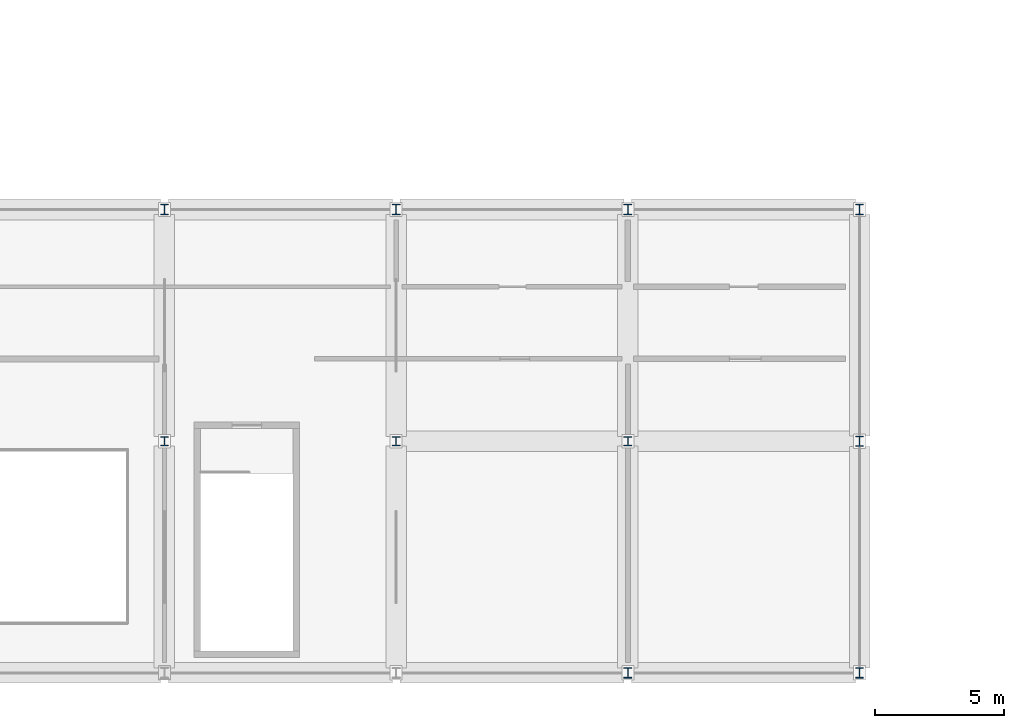
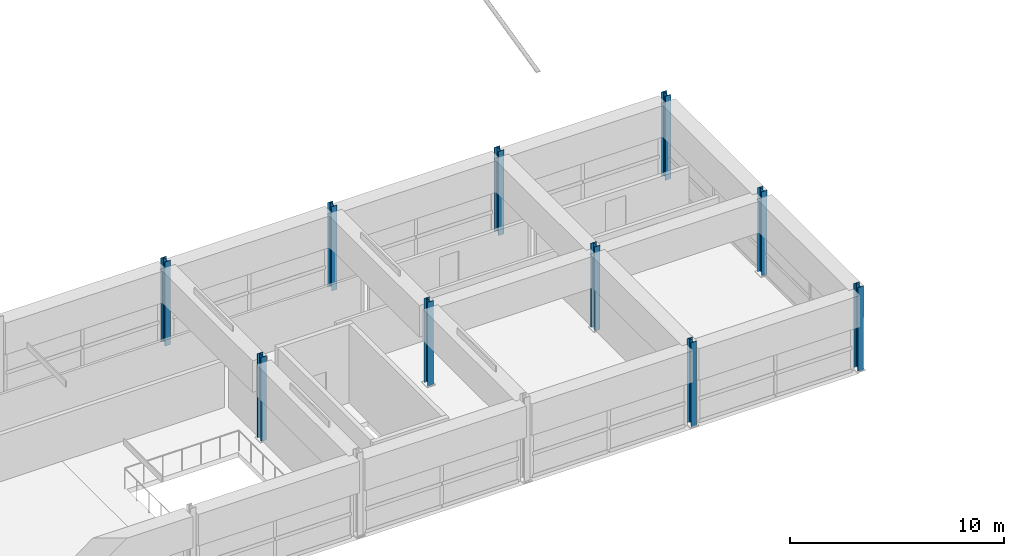
# One storey, part 2 of 56: 10 columns.
"""IFC4 building model written with IfcOpenShell, lengths in metres."""

from ifc_helpers import new_model, si_unit, direction, frame, origin, origin_2d, place, context, subcontext, project, spatial, i_section, extrude, material, material_profile, profile_set, type_object, element, save


model = new_model("IFC4")

# Units and contexts
model_context = context("Model", 3, precision=1e-05, world=origin(), true_north=direction((0.0, 1.0)))
body_context = subcontext(model_context, "Body", "Model", "MODEL_VIEW")
ifc_project = project(units=[si_unit("LENGTHUNIT", "METRE"), si_unit("AREAUNIT", "SQUARE_METRE"), si_unit("VOLUMEUNIT", "CUBIC_METRE"), si_unit("PLANEANGLEUNIT", "RADIAN"), si_unit("MASSUNIT", "GRAM", prefix="KILO")], contexts=[model_context])

# Site, building, storey
site_placement = place(None, origin())
site = spatial("IfcSite", under=ifc_project, at=site_placement, CompositionType="ELEMENT")
building_placement = place(site_placement, origin())
building = spatial("IfcBuilding", under=site, at=building_placement, Name="Bozkorgan Art Gallery", CompositionType="ELEMENT")
storey_placement = place(building_placement, frame((0.0, 0.0, 24.0)))
storey = spatial("IfcBuildingStorey", under=building, at=storey_placement, Name="L05", CompositionType="ELEMENT", Elevation=24.0)

# Columns
ifc_material = material(Name="Steel S355J2", Category="steel")
ifc_material_profile_1 = material_profile(ifc_material, i_section(OverallWidth=0.300048828125, OverallDepth=0.360107421875, WebThickness=0.012451171875, FlangeThickness=0.0224609375, FilletRadius=0.027099609375, at=origin_2d()), Name="HEB 360")
ifc_profile_set_1 = profile_set([ifc_material_profile_1], Name="Steel S355J2")
column_type_1 = type_object("IfcColumnType", Name="COLUMN-C-54", PredefinedType="COLUMN", material=ifc_profile_set_1)
for number, where, z_axis, x_axis, name in (
    (1, (38.0, 11.0, 0.0), (0.0, 0.0, 1.0), (1.0, 0.0, 0.0), "V1 L05 column (38.0, 11.0)"),
    (2, (47.0, 11.0, 0.0), (0.0, 0.0, 1.0), (1.0, 0.0, 0.0), "V1 L05 column (47.0, 11.0)"),
    (3, (56.0, 11.0, 0.0), (0.0, 0.0, 1.0), (1.0, 0.0, 0.0), "V1 L05 column (56.0, 11.0)"),
):
    element("IfcColumn", number, at=place(storey_placement, frame(where, z_axis=z_axis, x_axis=x_axis)), inside=storey, type_object=column_type_1, Name=name, PredefinedType="COLUMN", context=body_context, shape_type="SweptSolid", body=[
        extrude(i_section(OverallWidth=0.300048828125, OverallDepth=0.360107421875, WebThickness=0.012451171875, FlangeThickness=0.0224609375, FilletRadius=0.027099609375, at=origin_2d()), origin(), (0.0, 0.0, 1.0), 4.800048828125),
    ])
ifc_material_profile_2 = material_profile(ifc_material, i_section(OverallWidth=0.300048828125, OverallDepth=0.39990234375, WebThickness=0.013427734375, FlangeThickness=0.02392578125, FilletRadius=0.027099609375, at=origin_2d()), Name="HEB 400")
ifc_profile_set_2 = profile_set([ifc_material_profile_2], Name="Steel S355J2")
column_type_2 = type_object("IfcColumnType", Name="COLUMN-C-71", PredefinedType="COLUMN", material=ifc_profile_set_2)
for number, where, z_axis, x_axis, name in (
    (4, (38.0, 20.0, 0.0), (0.0, 0.0, 1.0), (1.0, 0.0, 0.0), "V1 L05 column (38.0, 20.0)"),
    (5, (47.0, 20.0, 0.0), (0.0, 0.0, 1.0), (1.0, 0.0, 0.0), "V1 L05 column (47.0, 20.0)"),
    (6, (56.0, 2.0, 0.0), (0.0, 0.0, 1.0), (1.0, 0.0, 0.0), "V1 L05 column (56.0, 2.0)"),
    (7, (56.0, 20.0, 0.0), (0.0, 0.0, 1.0), (1.0, 0.0, 0.0), "V1 L05 column (56.0, 20.0)"),
    (8, (65.0, 2.0, 0.0), (0.0, 0.0, 1.0), (1.0, 0.0, 0.0), "V1 L05 column (65.0, 2.0)"),
    (9, (65.0, 11.0, 0.0), (0.0, 0.0, 1.0), (1.0, 0.0, 0.0), "V1 L05 column (65.0, 11.0)"),
    (10, (65.0, 20.0, 0.0), (0.0, 0.0, 1.0), (1.0, 0.0, 0.0), "V1 L05 column (65.0, 20.0)"),
):
    element("IfcColumn", number, at=place(storey_placement, frame(where, z_axis=z_axis, x_axis=x_axis)), inside=storey, type_object=column_type_2, Name=name, PredefinedType="COLUMN", context=body_context, shape_type="SweptSolid", body=[
        extrude(i_section(OverallWidth=0.300048828125, OverallDepth=0.39990234375, WebThickness=0.013427734375, FlangeThickness=0.02392578125, FilletRadius=0.027099609375, at=origin_2d()), origin(), (0.0, 0.0, 1.0), 4.800048828125),
    ])

save(model, "model.ifc")
